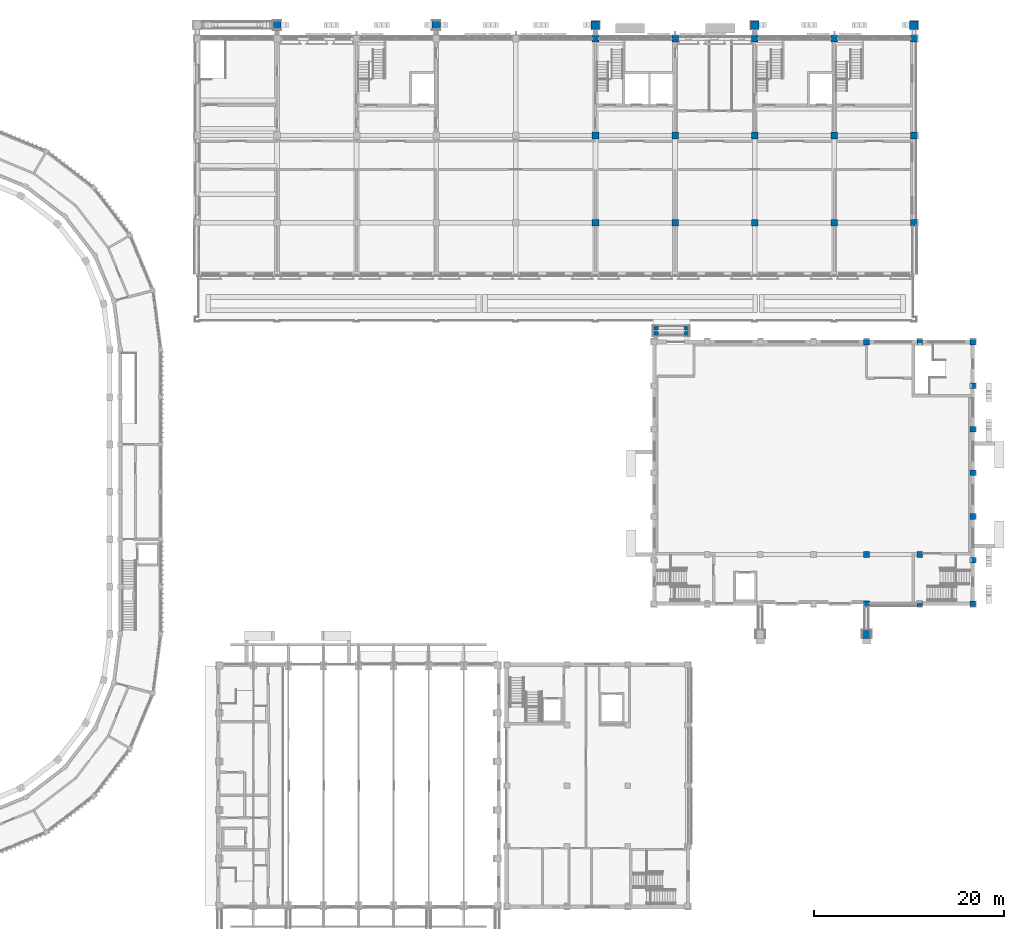
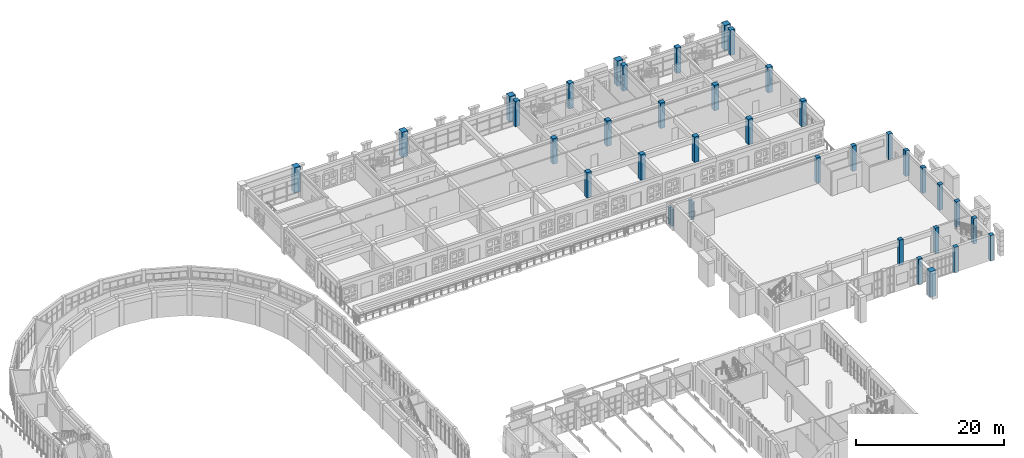
# One storey, part 2 of 99: 38 columns.
"""IFC4 building model written with IfcOpenShell, lengths in metres."""

from ifc_helpers import new_model, si_unit, direction, frame, origin, origin_2d, place, context, subcontext, project, spatial, rectangle, circle, extrude, material, material_profile, profile_set, type_object, element, save


model = new_model("IFC4")

# Units and contexts
model_context = context("Model", 3, precision=1e-05, world=origin(), true_north=direction((0.0, 1.0)))
body_context = subcontext(model_context, "Body", "Model", "MODEL_VIEW")
ifc_project = project(units=[si_unit("LENGTHUNIT", "METRE"), si_unit("AREAUNIT", "SQUARE_METRE"), si_unit("VOLUMEUNIT", "CUBIC_METRE"), si_unit("PLANEANGLEUNIT", "RADIAN"), si_unit("MASSUNIT", "GRAM", prefix="KILO")], contexts=[model_context])

# Site, building, storey
site_placement = place(None, origin())
site = spatial("IfcSite", under=ifc_project, at=site_placement, CompositionType="ELEMENT")
building_placement = place(site_placement, origin())
building = spatial("IfcBuilding", under=site, at=building_placement, Name="Wasatch Bagh Community Centre", CompositionType="ELEMENT")
storey_placement = place(building_placement, frame((0.0, 0.0, 4.199951171875)))
storey = spatial("IfcBuildingStorey", under=building, at=storey_placement, Name="L01", CompositionType="ELEMENT", Elevation=4.199951171875)

# Columns
ifc_material = material(Name="Concrete C40", Category="concrete")
ifc_material_profile_1 = material_profile(ifc_material, rectangle(XDim=0.89990234375, YDim=0.89990234375, at=origin_2d()), Name="RC 900x900")
ifc_profile_set_1 = profile_set([ifc_material_profile_1], Name="Concrete C40")
column_type_1 = type_object("IfcColumnType", Name="CL-P1", PredefinedType="COLUMN", material=ifc_profile_set_1)
for number, where, z_axis, x_axis, name in (
    (1, (134.60009765625, 35.0, 0.0), (0.0, 0.0, 1.0), (1.0, 0.0, 0.0), "CL-P1 pier SHP2"),
    (2, (72.39990234375, 99.25, 0.0), (0.0, 0.0, 1.0), (1.0, 0.0, 0.0), "CL-P1 pier LWP02"),
    (3, (89.199951171875, 99.25, 0.0), (0.0, 0.0, 1.0), (1.0, 0.0, 0.0), "CL-P1 pier LWP03"),
    (4, (106.0, 99.25, 0.0), (0.0, 0.0, 1.0), (1.0, 0.0, 0.0), "CL-P1 pier LWP04"),
    (5, (122.800048828125, 99.25, 0.0), (0.0, 0.0, 1.0), (1.0, 0.0, 0.0), "CL-P1 pier LWP05"),
    (6, (139.60009765625, 99.25, 0.0), (0.0, 0.0, 1.0), (1.0, 0.0, 0.0), "CL-P1 pier LWP06"),
):
    element("IfcColumn", number, at=place(storey_placement, frame(where, z_axis=z_axis, x_axis=x_axis)), inside=storey, type_object=column_type_1, Name=name, PredefinedType="COLUMN", context=body_context, shape_type="SweptSolid", body=[
        extrude(rectangle(XDim=0.89990234375, YDim=0.89990234375, at=origin_2d()), origin(), (0.0, 0.0, 1.0), 4.199951171875),
    ])
ifc_material_profile_2 = material_profile(ifc_material, rectangle(XDim=0.699951171875, YDim=0.699951171875, at=origin_2d()), Name="RC 700x700")
ifc_profile_set_2 = profile_set([ifc_material_profile_2], Name="Concrete C40")
column_type_2 = type_object("IfcColumnType", Name="LW RC 700x700", PredefinedType="COLUMN", material=ifc_profile_set_2)
for number, where, z_axis, x_axis, name in (
    (7, (106.0, 87.60009765625, 0.0), (0.0, 0.0, 1.0), (1.0, 0.0, 0.0), "W6M"),
    (8, (114.39990234375, 87.60009765625, 0.0), (0.0, 0.0, 1.0), (1.0, 0.0, 0.0), "W7M"),
    (9, (122.800048828125, 87.60009765625, 0.0), (0.0, 0.0, 1.0), (1.0, 0.0, 0.0), "W8M"),
    (10, (131.199951171875, 87.60009765625, 0.0), (0.0, 0.0, 1.0), (1.0, 0.0, 0.0), "W9M"),
    (11, (139.60009765625, 87.60009765625, 0.0), (0.0, 0.0, 1.0), (1.0, 0.0, 0.0), "W10M"),
    (12, (106.0, 97.800048828125, 0.0), (0.0, 0.0, 1.0), (1.0, 0.0, 0.0), "W6N"),
    (13, (114.39990234375, 97.800048828125, 0.0), (0.0, 0.0, 1.0), (1.0, 0.0, 0.0), "W7N"),
    (14, (122.800048828125, 97.800048828125, 0.0), (0.0, 0.0, 1.0), (1.0, 0.0, 0.0), "W8N"),
    (15, (131.199951171875, 97.800048828125, 0.0), (0.0, 0.0, 1.0), (1.0, 0.0, 0.0), "W9N"),
    (16, (139.60009765625, 97.800048828125, 0.0), (0.0, 0.0, 1.0), (1.0, 0.0, 0.0), "W10N"),
    (17, (106.0, 78.39990234375, 0.0), (0.0, 0.0, 1.0), (1.0, 0.0, 0.0), "W6S"),
    (18, (114.39990234375, 78.39990234375, 0.0), (0.0, 0.0, 1.0), (1.0, 0.0, 0.0), "W7S"),
    (19, (122.800048828125, 78.39990234375, 0.0), (0.0, 0.0, 1.0), (1.0, 0.0, 0.0), "W8S"),
    (20, (131.199951171875, 78.39990234375, 0.0), (0.0, 0.0, 1.0), (1.0, 0.0, 0.0), "W9S"),
    (21, (139.60009765625, 78.39990234375, 0.0), (0.0, 0.0, 1.0), (1.0, 0.0, 0.0), "W10S"),
):
    element("IfcColumn", number, at=place(storey_placement, frame(where, z_axis=z_axis, x_axis=x_axis)), inside=storey, type_object=column_type_2, Name=name, PredefinedType="COLUMN", context=body_context, shape_type="SweptSolid", body=[
        extrude(rectangle(XDim=0.699951171875, YDim=0.699951171875, at=origin_2d()), origin(), (0.0, 0.0, 1.0), 4.199951171875),
    ])
ifc_material_profile_3 = material_profile(ifc_material, circle(Radius=0.25, at=origin_2d()), Name="RC D500")
ifc_profile_set_3 = profile_set([ifc_material_profile_3], Name="Concrete C40")
column_type_3 = type_object("IfcColumnType", Name="PA-C3", PredefinedType="COLUMN", material=ifc_profile_set_3)
for number, where, z_axis, x_axis, name in (
    (22, (112.39990234375, 66.699951171875, 0.0), (0.0, 0.0, 1.0), (1.0, 0.0, 0.0), "PA-C3 column PA3.1"),
    (23, (115.60009765625, 66.699951171875, 0.0), (0.0, 0.0, 1.0), (1.0, 0.0, 0.0), "PA-C3 column PA3.2"),
    (24, (112.39990234375, 67.300048828125, 0.0), (0.0, 0.0, 1.0), (1.0, 0.0, 0.0), "PA-C3 column PA3.3"),
    (25, (115.60009765625, 67.300048828125, 0.0), (0.0, 0.0, 1.0), (1.0, 0.0, 0.0), "PA-C3 column PA3.4"),
):
    element("IfcColumn", number, at=place(storey_placement, frame(where, z_axis=z_axis, x_axis=x_axis)), inside=storey, type_object=column_type_3, Name=name, PredefinedType="COLUMN", context=body_context, shape_type="SweptSolid", body=[
        extrude(circle(Radius=0.25, at=origin_2d()), origin(), (0.0, 0.0, 1.0), 2.820068359375),
    ])
ifc_material_profile_4 = material_profile(ifc_material, rectangle(XDim=0.60009765625, YDim=0.60009765625, at=origin_2d()), Name="RC 600x600")
ifc_profile_set_4 = profile_set([ifc_material_profile_4], Name="Concrete C40")
column_type_4 = type_object("IfcColumnType", Name="SH RC 600x600 column", PredefinedType="COLUMN", material=ifc_profile_set_4)
for number, where, z_axis, x_axis, name in (
    (26, (134.60009765625, 38.199951171875, 0.0), (0.0, 0.0, 1.0), (1.0, 0.0, 0.0), "SH.col.L01.p05"),
    (27, (140.199951171875, 38.199951171875, 0.0), (0.0, 0.0, 1.0), (1.0, 0.0, 0.0), "SH.col.L01.p06"),
    (28, (145.800048828125, 38.199951171875, 0.0), (0.0, 0.0, 1.0), (1.0, 0.0, 0.0), "SH.col.L01.p07"),
    (29, (134.60009765625, 65.800048828125, 0.0), (0.0, 0.0, 1.0), (1.0, 0.0, 0.0), "SH.col.L01.p12"),
    (30, (140.199951171875, 65.800048828125, 0.0), (0.0, 0.0, 1.0), (1.0, 0.0, 0.0), "SH.col.L01.p13"),
    (31, (145.800048828125, 65.800048828125, 0.0), (0.0, 0.0, 1.0), (1.0, 0.0, 0.0), "SH.col.L01.p14"),
    (32, (145.800048828125, 42.800048828125, 0.0), (0.0, 0.0, 1.0), (1.0, 0.0, 0.0), "SH.col.L01.p20"),
    (33, (145.800048828125, 47.39990234375, 0.0), (0.0, 0.0, 1.0), (1.0, 0.0, 0.0), "SH.col.L01.p21"),
    (34, (145.800048828125, 52.0, 0.0), (0.0, 0.0, 1.0), (1.0, 0.0, 0.0), "SH.col.L01.p22"),
    (35, (145.800048828125, 56.60009765625, 0.0), (0.0, 0.0, 1.0), (1.0, 0.0, 0.0), "SH.col.L01.p23"),
    (36, (145.800048828125, 61.199951171875, 0.0), (0.0, 0.0, 1.0), (1.0, 0.0, 0.0), "SH.col.L01.p24"),
    (37, (134.60009765625, 43.39990234375, 0.0), (0.0, 0.0, 1.0), (1.0, 0.0, 0.0), "SH.col.L01.g04"),
    (38, (140.199951171875, 43.39990234375, 0.0), (0.0, 0.0, 1.0), (1.0, 0.0, 0.0), "SH.col.L01.g05"),
):
    element("IfcColumn", number, at=place(storey_placement, frame(where, z_axis=z_axis, x_axis=x_axis)), inside=storey, type_object=column_type_4, Name=name, PredefinedType="COLUMN", context=body_context, shape_type="SweptSolid", body=[
        extrude(rectangle(XDim=0.60009765625, YDim=0.60009765625, at=origin_2d()), origin(), (0.0, 0.0, 1.0), 4.199951171875),
    ])

save(model, "model.ifc")
